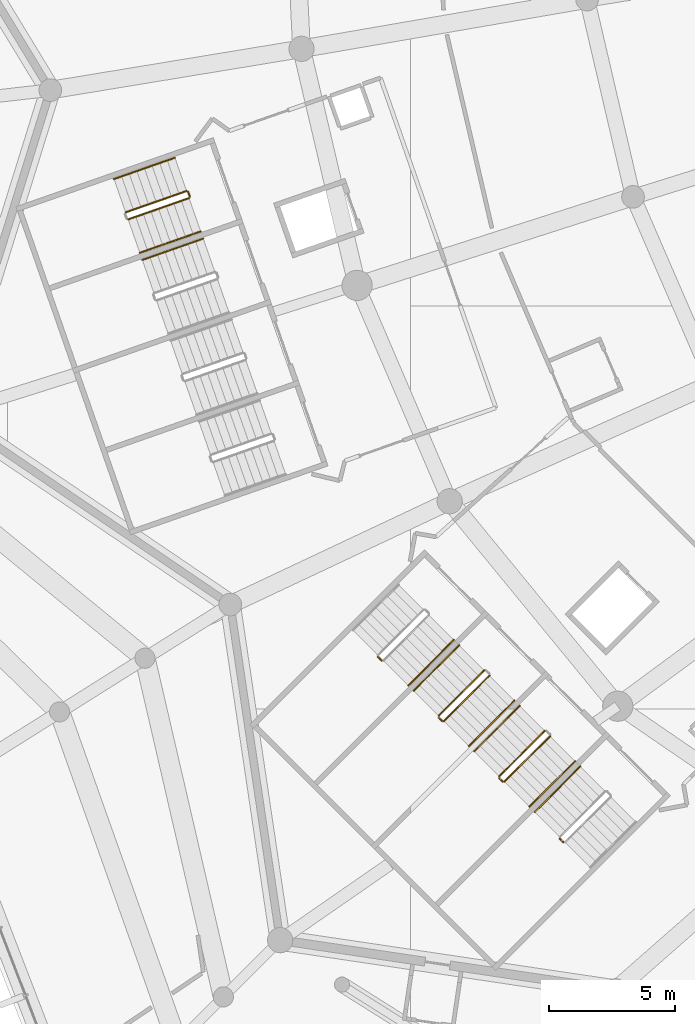
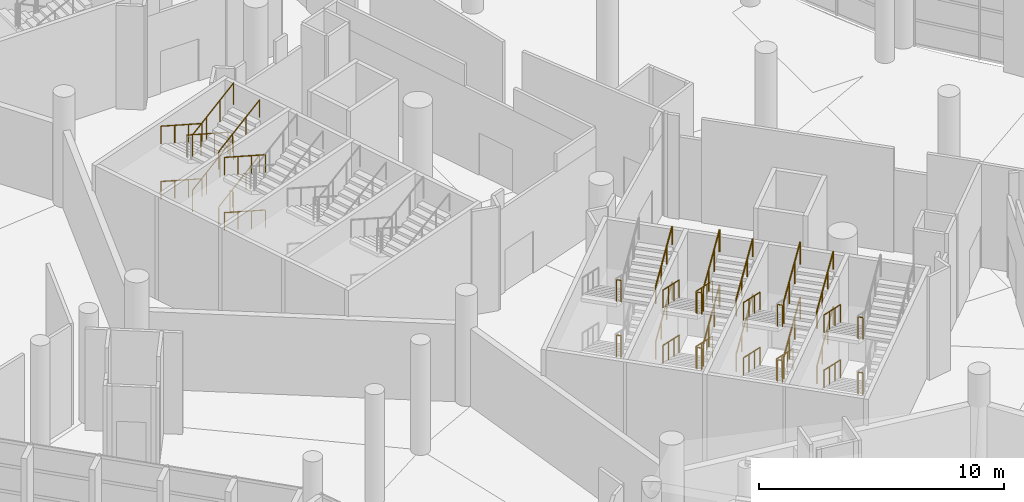
# One storey, part 225 of 271: 38 railings.
"""IFC4 building model written with IfcOpenShell, lengths in metres."""

from ifc_helpers import new_model, si_unit, direction, frame, origin, origin_2d, place, context, subcontext, project, spatial, circle, extrude, material, type_object, element, save


model = new_model("IFC4")

# Units and contexts
model_context = context("Model", 3, precision=1e-05, world=origin(), true_north=direction((0.0, 1.0)))
body_context = subcontext(model_context, "Body", "Model", "MODEL_VIEW")
ifc_project = project(units=[si_unit("LENGTHUNIT", "METRE"), si_unit("AREAUNIT", "SQUARE_METRE"), si_unit("VOLUMEUNIT", "CUBIC_METRE"), si_unit("PLANEANGLEUNIT", "RADIAN"), si_unit("MASSUNIT", "GRAM", prefix="KILO")], contexts=[model_context])

# Site, building, storey
site_placement = place(None, origin())
site = spatial("IfcSite", under=ifc_project, at=site_placement, CompositionType="ELEMENT")
building_placement = place(site_placement, origin())
building = spatial("IfcBuilding", under=site, at=building_placement, Name="Meseta Stadium", CompositionType="ELEMENT")
storey_placement = place(building_placement, frame((0.0, 0.0, 6.5)))
storey = spatial("IfcBuildingStorey", under=building, at=storey_placement, Name="L01", CompositionType="ELEMENT", Elevation=6.5)

# Railings
ifc_material_1 = material(Name="Steel S355", Category="steel")
railing_type_1 = type_object("IfcRailingType", Name="Stair guard 1100", PredefinedType="GUARDRAIL", material=ifc_material_1)
railing_1_placement = place(storey_placement, frame((-91.20458984375, -60.573486328125, 1.52783203125)))
element("IfcRailing", 1, at=railing_1_placement, inside=storey, type_object=railing_type_1, Name="ST77 L01 guard 3", PredefinedType="GUARDRAIL", context=body_context, shape_type="SweptSolid", body=[
    extrude(circle(Radius=0.02392578125, at=origin_2d()), frame((0.0, 0.0, 1.076171875), z_axis=(0.851812247406, 0.298022409857, 0.430811488231), x_axis=(-0.330239980492, 0.943897004595, 0.0)), (0.0, 0.0, 1.0), 2.8369140625),
    extrude(circle(Radius=0.02099609375, at=origin_2d()), origin(), (0.0, 0.0, 1.0), 1.052001953125),
    extrude(circle(Radius=0.02099609375, at=origin_2d()), frame((0.805419921875, 0.28173828125, 0.407470703125)), (0.0, 0.0, 1.0), 1.052001953125),
    extrude(circle(Radius=0.02099609375, at=origin_2d()), frame((1.611083984375, 0.563720703125, 0.814697265625)), (0.0, 0.0, 1.0), 1.052001953125),
    extrude(circle(Radius=0.02099609375, at=origin_2d()), frame((2.41650390625, 0.845458984375, 1.22216796875)), (0.0, 0.0, 1.0), 1.052001953125),
])
railing_2_placement = place(storey_placement, frame((-88.823486328125, -59.475341796875, 2.75)))
element("IfcRailing", 2, at=railing_2_placement, inside=storey, type_object=railing_type_1, Name="ST77 L01 guard 4", PredefinedType="GUARDRAIL", context=body_context, shape_type="SweptSolid", body=[
    extrude(circle(Radius=0.02392578125, at=origin_2d()), frame((0.0, 0.0, 1.076171875), z_axis=(0.329372156318, -0.944200181446, 0.0), x_axis=(0.944200181446, 0.329372156318, 0.0)), (0.0, 0.0, 1.0), 0.2001953125),
    extrude(circle(Radius=0.02099609375, at=origin_2d()), origin(), (0.0, 0.0, 1.0), 1.052001953125),
    extrude(circle(Radius=0.02099609375, at=origin_2d()), frame((0.06591796875, -0.18896484375, 0.0)), (0.0, 0.0, 1.0), 1.052001953125),
])
railing_3_placement = place(storey_placement, frame((-88.88720703125, -59.44482421875, 2.90283203125)))
element("IfcRailing", 3, at=railing_3_placement, inside=storey, type_object=railing_type_1, Name="ST77 L01 guard 5", PredefinedType="GUARDRAIL", context=body_context, shape_type="SweptSolid", body=[
    extrude(circle(Radius=0.02392578125, at=origin_2d()), frame((0.0, 0.0, 1.076171875), z_axis=(-0.851812247406, -0.298022409857, 0.430811488231), x_axis=(0.330239980492, -0.943897004595, 0.0)), (0.0, 0.0, 1.0), 2.8369140625),
    extrude(circle(Radius=0.02099609375, at=origin_2d()), origin(), (0.0, 0.0, 1.0), 1.052001953125),
    extrude(circle(Radius=0.02099609375, at=origin_2d()), frame((-0.805419921875, -0.28173828125, 0.407470703125)), (0.0, 0.0, 1.0), 1.052001953125),
    extrude(circle(Radius=0.02099609375, at=origin_2d()), frame((-1.611083984375, -0.563720703125, 0.814697265625)), (0.0, 0.0, 1.0), 1.052001953125),
    extrude(circle(Radius=0.02099609375, at=origin_2d()), frame((-2.41650390625, -0.845458984375, 1.22216796875)), (0.0, 0.0, 1.0), 1.052001953125),
])
railing_4_placement = place(storey_placement, frame((-91.20458984375, -60.573486328125, 4.27783203125)))
element("IfcRailing", 4, at=railing_4_placement, inside=storey, type_object=railing_type_1, Name="ST77 L01 guard 7", PredefinedType="GUARDRAIL", context=body_context, shape_type="SweptSolid", body=[
    extrude(circle(Radius=0.02392578125, at=origin_2d()), frame((0.0, 0.0, 1.076171875), z_axis=(0.851812247406, 0.298022409857, 0.430811488231), x_axis=(-0.330239980492, 0.943897004595, 0.0)), (0.0, 0.0, 1.0), 2.8369140625),
    extrude(circle(Radius=0.02099609375, at=origin_2d()), origin(), (0.0, 0.0, 1.0), 1.052001953125),
    extrude(circle(Radius=0.02099609375, at=origin_2d()), frame((0.805419921875, 0.28173828125, 0.407470703125)), (0.0, 0.0, 1.0), 1.052001953125),
    extrude(circle(Radius=0.02099609375, at=origin_2d()), frame((1.611083984375, 0.563720703125, 0.814697265625)), (0.0, 0.0, 1.0), 1.052001953125),
    extrude(circle(Radius=0.02099609375, at=origin_2d()), frame((2.41650390625, 0.845458984375, 1.22216796875)), (0.0, 0.0, 1.0), 1.052001953125),
])
railing_5_placement = place(storey_placement, frame((-88.823486328125, -59.475341796875, 0.0)))
element("IfcRailing", 5, at=railing_5_placement, inside=storey, type_object=railing_type_1, Name="ST77 L01 guard 8", PredefinedType="GUARDRAIL", context=body_context, shape_type="SweptSolid", body=[
    extrude(circle(Radius=0.02392578125, at=origin_2d()), frame((0.0, 0.0, 1.076171875), z_axis=(0.329372156318, -0.944200181446, 0.0), x_axis=(0.944200181446, 0.329372156318, 0.0)), (0.0, 0.0, 1.0), 0.2001953125),
    extrude(circle(Radius=0.02099609375, at=origin_2d()), origin(), (0.0, 0.0, 1.0), 1.052001953125),
    extrude(circle(Radius=0.02099609375, at=origin_2d()), frame((0.06591796875, -0.18896484375, 0.0)), (0.0, 0.0, 1.0), 1.052001953125),
])
for number, where, name in (
    (6, (-81.291748046875, -77.937744140625, 1.375), "ST81 L01 guard 2"),
    (7, (-81.291748046875, -77.937744140625, 4.125), "ST81 L01 guard 6"),
):
    element("IfcRailing", number, at=place(storey_placement, frame(where)), inside=storey, type_object=railing_type_1, Name=name, PredefinedType="GUARDRAIL", context=body_context, shape_type="SweptSolid", body=[
        extrude(circle(Radius=0.02392578125, at=origin_2d()), frame((0.0, 0.0, 1.076171875), z_axis=(0.707106781187, -0.707106781187, 0.0), x_axis=(0.707106781187, 0.707106781187, 0.0)), (0.0, 0.0, 1.0), 0.199951171875),
        extrude(circle(Radius=0.02099609375, at=origin_2d()), origin(), (0.0, 0.0, 1.0), 1.052001953125),
        extrude(circle(Radius=0.02099609375, at=origin_2d()), frame((0.141357421875, -0.141357421875, 0.0)), (0.0, 0.0, 1.0), 1.052001953125),
    ])
railing_6_placement = place(storey_placement, frame((-77.077392578125, -78.4609375, 0.15283203125)))
element("IfcRailing", 8, at=railing_6_placement, inside=storey, type_object=railing_type_1, Name="ST82 L01 guard 1", PredefinedType="GUARDRAIL", context=body_context, shape_type="SweptSolid", body=[
    extrude(circle(Radius=0.02392578125, at=origin_2d()), frame((0.0, 0.0, 1.076171875), z_axis=(-0.638072701536, -0.638158764755, 0.430832471526), x_axis=(0.707154463629, -0.707059095529, 0.0)), (0.0, 0.0, 1.0), 2.836669921875),
    extrude(circle(Radius=0.02099609375, at=origin_2d()), origin(), (0.0, 0.0, 1.0), 1.052001953125),
    extrude(circle(Radius=0.02099609375, at=origin_2d()), frame((-0.603271484375, -0.603515625, 0.407470703125)), (0.0, 0.0, 1.0), 1.052001953125),
    extrude(circle(Radius=0.02099609375, at=origin_2d()), frame((-1.206787109375, -1.206787109375, 0.814697265625)), (0.0, 0.0, 1.0), 1.052001953125),
    extrude(circle(Radius=0.02099609375, at=origin_2d()), frame((-1.81005859375, -1.810302734375, 1.22216796875)), (0.0, 0.0, 1.0), 1.052001953125),
])
railing_7_placement = place(storey_placement, frame((-78.887451171875, -80.342041015625, 1.375)))
element("IfcRailing", 9, at=railing_7_placement, inside=storey, type_object=railing_type_1, Name="ST82 L01 guard 2", PredefinedType="GUARDRAIL", context=body_context, shape_type="SweptSolid", body=[
    extrude(circle(Radius=0.02392578125, at=origin_2d()), frame((0.0, 0.0, 1.076171875), z_axis=(0.707106781187, -0.707106781187, 0.0), x_axis=(0.707106781187, 0.707106781187, 0.0)), (0.0, 0.0, 1.0), 0.199951171875),
    extrude(circle(Radius=0.02099609375, at=origin_2d()), origin(), (0.0, 0.0, 1.0), 1.052001953125),
    extrude(circle(Radius=0.02099609375, at=origin_2d()), frame((0.141357421875, -0.141357421875, 0.0)), (0.0, 0.0, 1.0), 1.052001953125),
])
railing_8_placement = place(storey_placement, frame((-78.67529296875, -80.4833984375, 1.52783203125)))
element("IfcRailing", 10, at=railing_8_placement, inside=storey, type_object=railing_type_1, Name="ST82 L01 guard 3", PredefinedType="GUARDRAIL", context=body_context, shape_type="SweptSolid", body=[
    extrude(circle(Radius=0.02392578125, at=origin_2d()), frame((0.0, 0.0, 1.076171875), z_axis=(0.638072701536, 0.638158764755, 0.430832471526), x_axis=(-0.707154463629, 0.707059095529, 0.0)), (0.0, 0.0, 1.0), 2.836669921875),
    extrude(circle(Radius=0.02099609375, at=origin_2d()), origin(), (0.0, 0.0, 1.0), 1.052001953125),
    extrude(circle(Radius=0.02099609375, at=origin_2d()), frame((0.603271484375, 0.603515625, 0.407470703125)), (0.0, 0.0, 1.0), 1.052001953125),
    extrude(circle(Radius=0.02099609375, at=origin_2d()), frame((1.206787109375, 1.206787109375, 0.814697265625)), (0.0, 0.0, 1.0), 1.052001953125),
    extrude(circle(Radius=0.02099609375, at=origin_2d()), frame((1.81005859375, 1.810302734375, 1.22216796875)), (0.0, 0.0, 1.0), 1.052001953125),
])
railing_9_placement = place(storey_placement, frame((-77.077392578125, -78.4609375, 2.90283203125)))
element("IfcRailing", 11, at=railing_9_placement, inside=storey, type_object=railing_type_1, Name="ST82 L01 guard 5", PredefinedType="GUARDRAIL", context=body_context, shape_type="SweptSolid", body=[
    extrude(circle(Radius=0.02392578125, at=origin_2d()), frame((0.0, 0.0, 1.076171875), z_axis=(-0.638072701536, -0.638158764755, 0.430832471526), x_axis=(0.707154463629, -0.707059095529, 0.0)), (0.0, 0.0, 1.0), 2.836669921875),
    extrude(circle(Radius=0.02099609375, at=origin_2d()), origin(), (0.0, 0.0, 1.0), 1.052001953125),
    extrude(circle(Radius=0.02099609375, at=origin_2d()), frame((-0.603271484375, -0.603515625, 0.407470703125)), (0.0, 0.0, 1.0), 1.052001953125),
    extrude(circle(Radius=0.02099609375, at=origin_2d()), frame((-1.206787109375, -1.206787109375, 0.814697265625)), (0.0, 0.0, 1.0), 1.052001953125),
    extrude(circle(Radius=0.02099609375, at=origin_2d()), frame((-1.81005859375, -1.810302734375, 1.22216796875)), (0.0, 0.0, 1.0), 1.052001953125),
])
railing_10_placement = place(storey_placement, frame((-78.887451171875, -80.342041015625, 4.125)))
element("IfcRailing", 12, at=railing_10_placement, inside=storey, type_object=railing_type_1, Name="ST82 L01 guard 6", PredefinedType="GUARDRAIL", context=body_context, shape_type="SweptSolid", body=[
    extrude(circle(Radius=0.02392578125, at=origin_2d()), frame((0.0, 0.0, 1.076171875), z_axis=(0.707106781187, -0.707106781187, 0.0), x_axis=(0.707106781187, 0.707106781187, 0.0)), (0.0, 0.0, 1.0), 0.199951171875),
    extrude(circle(Radius=0.02099609375, at=origin_2d()), origin(), (0.0, 0.0, 1.0), 1.052001953125),
    extrude(circle(Radius=0.02099609375, at=origin_2d()), frame((0.141357421875, -0.141357421875, 0.0)), (0.0, 0.0, 1.0), 1.052001953125),
])
railing_11_placement = place(storey_placement, frame((-78.67529296875, -80.4833984375, 4.27783203125)))
element("IfcRailing", 13, at=railing_11_placement, inside=storey, type_object=railing_type_1, Name="ST82 L01 guard 7", PredefinedType="GUARDRAIL", context=body_context, shape_type="SweptSolid", body=[
    extrude(circle(Radius=0.02392578125, at=origin_2d()), frame((0.0, 0.0, 1.076171875), z_axis=(0.638072701536, 0.638158764755, 0.430832471526), x_axis=(-0.707154463629, 0.707059095529, 0.0)), (0.0, 0.0, 1.0), 2.836669921875),
    extrude(circle(Radius=0.02099609375, at=origin_2d()), origin(), (0.0, 0.0, 1.0), 1.052001953125),
    extrude(circle(Radius=0.02099609375, at=origin_2d()), frame((0.603271484375, 0.603515625, 0.407470703125)), (0.0, 0.0, 1.0), 1.052001953125),
    extrude(circle(Radius=0.02099609375, at=origin_2d()), frame((1.206787109375, 1.206787109375, 0.814697265625)), (0.0, 0.0, 1.0), 1.052001953125),
    extrude(circle(Radius=0.02099609375, at=origin_2d()), frame((1.81005859375, 1.810302734375, 1.22216796875)), (0.0, 0.0, 1.0), 1.052001953125),
])
railing_12_placement = place(storey_placement, frame((-74.673095703125, -80.865234375, 0.15283203125)))
element("IfcRailing", 14, at=railing_12_placement, inside=storey, type_object=railing_type_1, Name="ST83 L01 guard 1", PredefinedType="GUARDRAIL", context=body_context, shape_type="SweptSolid", body=[
    extrude(circle(Radius=0.02392578125, at=origin_2d()), frame((0.0, 0.0, 1.076171875), z_axis=(-0.638158764755, -0.638072701536, 0.430832471526), x_axis=(0.707059095529, -0.707154463629, 0.0)), (0.0, 0.0, 1.0), 2.836669921875),
    extrude(circle(Radius=0.02099609375, at=origin_2d()), origin(), (0.0, 0.0, 1.0), 1.052001953125),
    extrude(circle(Radius=0.02099609375, at=origin_2d()), frame((-0.603515625, -0.603271484375, 0.407470703125)), (0.0, 0.0, 1.0), 1.052001953125),
    extrude(circle(Radius=0.02099609375, at=origin_2d()), frame((-1.206787109375, -1.206787109375, 0.814697265625)), (0.0, 0.0, 1.0), 1.052001953125),
    extrude(circle(Radius=0.02099609375, at=origin_2d()), frame((-1.810302734375, -1.81005859375, 1.22216796875)), (0.0, 0.0, 1.0), 1.052001953125),
])
railing_13_placement = place(storey_placement, frame((-76.4833984375, -82.74609375, 1.375)))
element("IfcRailing", 15, at=railing_13_placement, inside=storey, type_object=railing_type_1, Name="ST83 L01 guard 2", PredefinedType="GUARDRAIL", context=body_context, shape_type="SweptSolid", body=[
    extrude(circle(Radius=0.02392578125, at=origin_2d()), frame((0.0, 0.0, 1.076171875), z_axis=(0.707106781187, -0.707106781187, 0.0), x_axis=(0.707106781187, 0.707106781187, 0.0)), (0.0, 0.0, 1.0), 0.199951171875),
    extrude(circle(Radius=0.02099609375, at=origin_2d()), origin(), (0.0, 0.0, 1.0), 1.052001953125),
    extrude(circle(Radius=0.02099609375, at=origin_2d()), frame((0.141357421875, -0.141357421875, 0.0)), (0.0, 0.0, 1.0), 1.052001953125),
])
railing_14_placement = place(storey_placement, frame((-76.271240234375, -82.887451171875, 1.52783203125)))
element("IfcRailing", 16, at=railing_14_placement, inside=storey, type_object=railing_type_1, Name="ST83 L01 guard 3", PredefinedType="GUARDRAIL", context=body_context, shape_type="SweptSolid", body=[
    extrude(circle(Radius=0.02392578125, at=origin_2d()), frame((0.0, 0.0, 1.076171875), z_axis=(0.638158764755, 0.638072701536, 0.430832471526), x_axis=(-0.707059095529, 0.707154463629, 0.0)), (0.0, 0.0, 1.0), 2.836669921875),
    extrude(circle(Radius=0.02099609375, at=origin_2d()), origin(), (0.0, 0.0, 1.0), 1.052001953125),
    extrude(circle(Radius=0.02099609375, at=origin_2d()), frame((0.603515625, 0.603271484375, 0.407470703125)), (0.0, 0.0, 1.0), 1.052001953125),
    extrude(circle(Radius=0.02099609375, at=origin_2d()), frame((1.206787109375, 1.206787109375, 0.814697265625)), (0.0, 0.0, 1.0), 1.052001953125),
    extrude(circle(Radius=0.02099609375, at=origin_2d()), frame((1.810302734375, 1.81005859375, 1.22216796875)), (0.0, 0.0, 1.0), 1.052001953125),
])
railing_15_placement = place(storey_placement, frame((-76.4833984375, -82.74609375, 4.125)))
element("IfcRailing", 17, at=railing_15_placement, inside=storey, type_object=railing_type_1, Name="ST83 L01 guard 6", PredefinedType="GUARDRAIL", context=body_context, shape_type="SweptSolid", body=[
    extrude(circle(Radius=0.02392578125, at=origin_2d()), frame((0.0, 0.0, 1.076171875), z_axis=(0.707106781187, -0.707106781187, 0.0), x_axis=(0.707106781187, 0.707106781187, 0.0)), (0.0, 0.0, 1.0), 0.199951171875),
    extrude(circle(Radius=0.02099609375, at=origin_2d()), origin(), (0.0, 0.0, 1.0), 1.052001953125),
    extrude(circle(Radius=0.02099609375, at=origin_2d()), frame((0.141357421875, -0.141357421875, 0.0)), (0.0, 0.0, 1.0), 1.052001953125),
])
railing_16_placement = place(storey_placement, frame((-76.271240234375, -82.887451171875, 4.27783203125)))
element("IfcRailing", 18, at=railing_16_placement, inside=storey, type_object=railing_type_1, Name="ST83 L01 guard 7", PredefinedType="GUARDRAIL", context=body_context, shape_type="SweptSolid", body=[
    extrude(circle(Radius=0.02392578125, at=origin_2d()), frame((0.0, 0.0, 1.076171875), z_axis=(0.638158764755, 0.638072701536, 0.430832471526), x_axis=(-0.707059095529, 0.707154463629, 0.0)), (0.0, 0.0, 1.0), 2.836669921875),
    extrude(circle(Radius=0.02099609375, at=origin_2d()), origin(), (0.0, 0.0, 1.0), 1.052001953125),
    extrude(circle(Radius=0.02099609375, at=origin_2d()), frame((0.603515625, 0.603271484375, 0.407470703125)), (0.0, 0.0, 1.0), 1.052001953125),
    extrude(circle(Radius=0.02099609375, at=origin_2d()), frame((1.206787109375, 1.206787109375, 0.814697265625)), (0.0, 0.0, 1.0), 1.052001953125),
    extrude(circle(Radius=0.02099609375, at=origin_2d()), frame((1.810302734375, 1.81005859375, 1.22216796875)), (0.0, 0.0, 1.0), 1.052001953125),
])
for number, where, name in (
    (19, (-74.0791015625, -85.150390625, 1.375), "ST84 L01 guard 2"),
    (20, (-74.0791015625, -85.150390625, 4.125), "ST84 L01 guard 6"),
):
    element("IfcRailing", number, at=place(storey_placement, frame(where)), inside=storey, type_object=railing_type_1, Name=name, PredefinedType="GUARDRAIL", context=body_context, shape_type="SweptSolid", body=[
        extrude(circle(Radius=0.02392578125, at=origin_2d()), frame((0.0, 0.0, 1.076171875), z_axis=(0.707106781187, -0.707106781187, 0.0), x_axis=(0.707106781187, 0.707106781187, 0.0)), (0.0, 0.0, 1.0), 0.199951171875),
        extrude(circle(Radius=0.02099609375, at=origin_2d()), origin(), (0.0, 0.0, 1.0), 1.052001953125),
        extrude(circle(Radius=0.02099609375, at=origin_2d()), frame((0.141357421875, -0.141357421875, 0.0)), (0.0, 0.0, 1.0), 1.052001953125),
    ])
ifc_material_2 = material(Name="Steel S355", Category="steel")
railing_type_2 = type_object("IfcRailingType", Name="Stair handrail 900", PredefinedType="HANDRAIL", material=ifc_material_2)
railing_17_placement = place(storey_placement, frame((-89.349609375, -58.123291015625, 0.15283203125)))
element("IfcRailing", 21, at=railing_17_placement, inside=storey, type_object=railing_type_2, Name="ST77 L01 handrail 1", PredefinedType="HANDRAIL", context=body_context, shape_type="SweptSolid", body=[
    extrude(circle(Radius=0.02392578125, at=origin_2d()), frame((0.0, 0.0, 0.8759765625), z_axis=(-0.851812247406, -0.298022409857, 0.430811488231), x_axis=(0.330239980492, -0.943897004595, 0.0)), (0.0, 0.0, 1.0), 2.8369140625),
    extrude(circle(Radius=0.02099609375, at=origin_2d()), origin(), (0.0, 0.0, 1.0), 0.851806640625),
    extrude(circle(Radius=0.02099609375, at=origin_2d()), frame((-0.805419921875, -0.28173828125, 0.407470703125)), (0.0, 0.0, 1.0), 0.851806640625),
    extrude(circle(Radius=0.02099609375, at=origin_2d()), frame((-1.611083984375, -0.563720703125, 0.814697265625)), (0.0, 0.0, 1.0), 0.851806640625),
    extrude(circle(Radius=0.02099609375, at=origin_2d()), frame((-2.41650390625, -0.845458984375, 1.22216796875)), (0.0, 0.0, 1.0), 0.851806640625),
])
railing_18_placement = place(storey_placement, frame((-90.7421875, -61.894775390625, 1.52783203125)))
element("IfcRailing", 22, at=railing_18_placement, inside=storey, type_object=railing_type_2, Name="ST77 L01 handrail 2", PredefinedType="HANDRAIL", context=body_context, shape_type="SweptSolid", body=[
    extrude(circle(Radius=0.02392578125, at=origin_2d()), frame((0.0, 0.0, 0.8759765625), z_axis=(0.851812247406, 0.298022409857, 0.430811488231), x_axis=(-0.330239980492, 0.943897004595, 0.0)), (0.0, 0.0, 1.0), 2.8369140625),
    extrude(circle(Radius=0.02099609375, at=origin_2d()), origin(), (0.0, 0.0, 1.0), 0.851806640625),
    extrude(circle(Radius=0.02099609375, at=origin_2d()), frame((0.805419921875, 0.28173828125, 0.407470703125)), (0.0, 0.0, 1.0), 0.851806640625),
    extrude(circle(Radius=0.02099609375, at=origin_2d()), frame((1.611083984375, 0.563720703125, 0.814697265625)), (0.0, 0.0, 1.0), 0.851806640625),
    extrude(circle(Radius=0.02099609375, at=origin_2d()), frame((2.41650390625, 0.845458984375, 1.22216796875)), (0.0, 0.0, 1.0), 0.851806640625),
])
railing_19_placement = place(storey_placement, frame((-89.349609375, -58.123291015625, 2.90283203125)))
element("IfcRailing", 23, at=railing_19_placement, inside=storey, type_object=railing_type_2, Name="ST77 L01 handrail 3", PredefinedType="HANDRAIL", context=body_context, shape_type="SweptSolid", body=[
    extrude(circle(Radius=0.02392578125, at=origin_2d()), frame((0.0, 0.0, 0.8759765625), z_axis=(-0.851812247406, -0.298022409857, 0.430811488231), x_axis=(0.330239980492, -0.943897004595, 0.0)), (0.0, 0.0, 1.0), 2.8369140625),
    extrude(circle(Radius=0.02099609375, at=origin_2d()), origin(), (0.0, 0.0, 1.0), 0.851806640625),
    extrude(circle(Radius=0.02099609375, at=origin_2d()), frame((-0.805419921875, -0.28173828125, 0.407470703125)), (0.0, 0.0, 1.0), 0.851806640625),
    extrude(circle(Radius=0.02099609375, at=origin_2d()), frame((-1.611083984375, -0.563720703125, 0.814697265625)), (0.0, 0.0, 1.0), 0.851806640625),
    extrude(circle(Radius=0.02099609375, at=origin_2d()), frame((-2.41650390625, -0.845458984375, 1.22216796875)), (0.0, 0.0, 1.0), 0.851806640625),
])
railing_20_placement = place(storey_placement, frame((-90.7421875, -61.894775390625, 4.27783203125)))
element("IfcRailing", 24, at=railing_20_placement, inside=storey, type_object=railing_type_2, Name="ST77 L01 handrail 4", PredefinedType="HANDRAIL", context=body_context, shape_type="SweptSolid", body=[
    extrude(circle(Radius=0.02392578125, at=origin_2d()), frame((0.0, 0.0, 0.8759765625), z_axis=(0.851812247406, 0.298022409857, 0.430811488231), x_axis=(-0.330239980492, 0.943897004595, 0.0)), (0.0, 0.0, 1.0), 2.8369140625),
    extrude(circle(Radius=0.02099609375, at=origin_2d()), origin(), (0.0, 0.0, 1.0), 0.851806640625),
    extrude(circle(Radius=0.02099609375, at=origin_2d()), frame((0.805419921875, 0.28173828125, 0.407470703125)), (0.0, 0.0, 1.0), 0.851806640625),
    extrude(circle(Radius=0.02099609375, at=origin_2d()), frame((1.611083984375, 0.563720703125, 0.814697265625)), (0.0, 0.0, 1.0), 0.851806640625),
    extrude(circle(Radius=0.02099609375, at=origin_2d()), frame((2.41650390625, 0.845458984375, 1.22216796875)), (0.0, 0.0, 1.0), 0.851806640625),
])
for number, where, name in (
    (25, (-88.226806640625, -61.33251953125, 0.15283203125), "ST78 L01 handrail 1"),
    (26, (-88.226806640625, -61.33251953125, 2.90283203125), "ST78 L01 handrail 3"),
):
    element("IfcRailing", number, at=place(storey_placement, frame(where)), inside=storey, type_object=railing_type_2, Name=name, PredefinedType="HANDRAIL", context=body_context, shape_type="SweptSolid", body=[
        extrude(circle(Radius=0.02392578125, at=origin_2d()), frame((0.0, 0.0, 0.8759765625), z_axis=(-0.851788628844, -0.298044258026, 0.430843071233), x_axis=(0.330269708658, -0.943886603116, 0.0)), (0.0, 0.0, 1.0), 2.836669921875),
        extrude(circle(Radius=0.02099609375, at=origin_2d()), origin(), (0.0, 0.0, 1.0), 0.851806640625),
        extrude(circle(Radius=0.02099609375, at=origin_2d()), frame((-0.805419921875, -0.28173828125, 0.407470703125)), (0.0, 0.0, 1.0), 0.851806640625),
        extrude(circle(Radius=0.02099609375, at=origin_2d()), frame((-1.61083984375, -0.563720703125, 0.814697265625)), (0.0, 0.0, 1.0), 0.851806640625),
        extrude(circle(Radius=0.02099609375, at=origin_2d()), frame((-2.416259765625, -0.845458984375, 1.22216796875)), (0.0, 0.0, 1.0), 0.851806640625),
    ])
for number, where, name in (
    (27, (-80.089599609375, -79.069091796875, 1.52783203125), "ST81 L01 handrail 2"),
    (28, (-80.089599609375, -79.069091796875, 4.27783203125), "ST81 L01 handrail 4"),
):
    element("IfcRailing", number, at=place(storey_placement, frame(where)), inside=storey, type_object=railing_type_2, Name=name, PredefinedType="HANDRAIL", context=body_context, shape_type="SweptSolid", body=[
        extrude(circle(Radius=0.02392578125, at=origin_2d()), frame((0.0, 0.0, 0.8759765625), z_axis=(0.638107746287, 0.638107746287, 0.430856134059), x_axis=(-0.707106781187, 0.707106781187, 0.0)), (0.0, 0.0, 1.0), 2.836669921875),
        extrude(circle(Radius=0.02099609375, at=origin_2d()), origin(), (0.0, 0.0, 1.0), 0.851806640625),
        extrude(circle(Radius=0.02099609375, at=origin_2d()), frame((0.603271484375, 0.603271484375, 0.407470703125)), (0.0, 0.0, 1.0), 0.851806640625),
        extrude(circle(Radius=0.02099609375, at=origin_2d()), frame((1.206787109375, 1.206787109375, 0.814697265625)), (0.0, 0.0, 1.0), 0.851806640625),
        extrude(circle(Radius=0.02099609375, at=origin_2d()), frame((1.81005859375, 1.81005859375, 1.22216796875)), (0.0, 0.0, 1.0), 0.851806640625),
    ])
railing_21_placement = place(storey_placement, frame((-78.0673828125, -77.47119140625, 0.15283203125)))
element("IfcRailing", 29, at=railing_21_placement, inside=storey, type_object=railing_type_2, Name="ST82 L01 handrail 1", PredefinedType="HANDRAIL", context=body_context, shape_type="SweptSolid", body=[
    extrude(circle(Radius=0.02392578125, at=origin_2d()), frame((0.0, 0.0, 0.8759765625), z_axis=(-0.638107746287, -0.638107746287, 0.430856134059), x_axis=(0.707106781187, -0.707106781187, 0.0)), (0.0, 0.0, 1.0), 2.836669921875),
    extrude(circle(Radius=0.02099609375, at=origin_2d()), origin(), (0.0, 0.0, 1.0), 0.851806640625),
    extrude(circle(Radius=0.02099609375, at=origin_2d()), frame((-0.603271484375, -0.603271484375, 0.407470703125)), (0.0, 0.0, 1.0), 0.851806640625),
    extrude(circle(Radius=0.02099609375, at=origin_2d()), frame((-1.206787109375, -1.206787109375, 0.814697265625)), (0.0, 0.0, 1.0), 0.851806640625),
    extrude(circle(Radius=0.02099609375, at=origin_2d()), frame((-1.81005859375, -1.81005859375, 1.22216796875)), (0.0, 0.0, 1.0), 0.851806640625),
])
railing_22_placement = place(storey_placement, frame((-77.685546875, -81.473388671875, 1.52783203125)))
element("IfcRailing", 30, at=railing_22_placement, inside=storey, type_object=railing_type_2, Name="ST82 L01 handrail 2", PredefinedType="HANDRAIL", context=body_context, shape_type="SweptSolid", body=[
    extrude(circle(Radius=0.02392578125, at=origin_2d()), frame((0.0, 0.0, 0.8759765625), z_axis=(0.638123721051, 0.638123721051, 0.43080881289), x_axis=(-0.707106781187, 0.707106781187, 0.0)), (0.0, 0.0, 1.0), 2.8369140625),
    extrude(circle(Radius=0.02099609375, at=origin_2d()), origin(), (0.0, 0.0, 1.0), 0.851806640625),
    extrude(circle(Radius=0.02099609375, at=origin_2d()), frame((0.603515625, 0.603515625, 0.407470703125)), (0.0, 0.0, 1.0), 0.851806640625),
    extrude(circle(Radius=0.02099609375, at=origin_2d()), frame((1.206787109375, 1.206787109375, 0.814697265625)), (0.0, 0.0, 1.0), 0.851806640625),
    extrude(circle(Radius=0.02099609375, at=origin_2d()), frame((1.810302734375, 1.810302734375, 1.22216796875)), (0.0, 0.0, 1.0), 0.851806640625),
])
railing_23_placement = place(storey_placement, frame((-78.0673828125, -77.47119140625, 2.90283203125)))
element("IfcRailing", 31, at=railing_23_placement, inside=storey, type_object=railing_type_2, Name="ST82 L01 handrail 3", PredefinedType="HANDRAIL", context=body_context, shape_type="SweptSolid", body=[
    extrude(circle(Radius=0.02392578125, at=origin_2d()), frame((0.0, 0.0, 0.8759765625), z_axis=(-0.638107746287, -0.638107746287, 0.430856134059), x_axis=(0.707106781187, -0.707106781187, 0.0)), (0.0, 0.0, 1.0), 2.836669921875),
    extrude(circle(Radius=0.02099609375, at=origin_2d()), origin(), (0.0, 0.0, 1.0), 0.851806640625),
    extrude(circle(Radius=0.02099609375, at=origin_2d()), frame((-0.603271484375, -0.603271484375, 0.407470703125)), (0.0, 0.0, 1.0), 0.851806640625),
    extrude(circle(Radius=0.02099609375, at=origin_2d()), frame((-1.206787109375, -1.206787109375, 0.814697265625)), (0.0, 0.0, 1.0), 0.851806640625),
    extrude(circle(Radius=0.02099609375, at=origin_2d()), frame((-1.81005859375, -1.81005859375, 1.22216796875)), (0.0, 0.0, 1.0), 0.851806640625),
])
railing_24_placement = place(storey_placement, frame((-77.685546875, -81.473388671875, 4.27783203125)))
element("IfcRailing", 32, at=railing_24_placement, inside=storey, type_object=railing_type_2, Name="ST82 L01 handrail 4", PredefinedType="HANDRAIL", context=body_context, shape_type="SweptSolid", body=[
    extrude(circle(Radius=0.02392578125, at=origin_2d()), frame((0.0, 0.0, 0.8759765625), z_axis=(0.638123721051, 0.638123721051, 0.43080881289), x_axis=(-0.707106781187, 0.707106781187, 0.0)), (0.0, 0.0, 1.0), 2.8369140625),
    extrude(circle(Radius=0.02099609375, at=origin_2d()), origin(), (0.0, 0.0, 1.0), 0.851806640625),
    extrude(circle(Radius=0.02099609375, at=origin_2d()), frame((0.603515625, 0.603515625, 0.407470703125)), (0.0, 0.0, 1.0), 0.851806640625),
    extrude(circle(Radius=0.02099609375, at=origin_2d()), frame((1.206787109375, 1.206787109375, 0.814697265625)), (0.0, 0.0, 1.0), 0.851806640625),
    extrude(circle(Radius=0.02099609375, at=origin_2d()), frame((1.810302734375, 1.810302734375, 1.22216796875)), (0.0, 0.0, 1.0), 0.851806640625),
])
railing_25_placement = place(storey_placement, frame((-75.6630859375, -79.875244140625, 0.15283203125)))
element("IfcRailing", 33, at=railing_25_placement, inside=storey, type_object=railing_type_2, Name="ST83 L01 handrail 1", PredefinedType="HANDRAIL", context=body_context, shape_type="SweptSolid", body=[
    extrude(circle(Radius=0.02392578125, at=origin_2d()), frame((0.0, 0.0, 0.8759765625), z_axis=(-0.638123721051, -0.638123721051, 0.43080881289), x_axis=(0.707106781187, -0.707106781187, 0.0)), (0.0, 0.0, 1.0), 2.8369140625),
    extrude(circle(Radius=0.02099609375, at=origin_2d()), origin(), (0.0, 0.0, 1.0), 0.851806640625),
    extrude(circle(Radius=0.02099609375, at=origin_2d()), frame((-0.603515625, -0.603515625, 0.407470703125)), (0.0, 0.0, 1.0), 0.851806640625),
    extrude(circle(Radius=0.02099609375, at=origin_2d()), frame((-1.206787109375, -1.206787109375, 0.814697265625)), (0.0, 0.0, 1.0), 0.851806640625),
    extrude(circle(Radius=0.02099609375, at=origin_2d()), frame((-1.810302734375, -1.810302734375, 1.22216796875)), (0.0, 0.0, 1.0), 0.851806640625),
])
railing_26_placement = place(storey_placement, frame((-75.28125, -83.87744140625, 1.52783203125)))
element("IfcRailing", 34, at=railing_26_placement, inside=storey, type_object=railing_type_2, Name="ST83 L01 handrail 2", PredefinedType="HANDRAIL", context=body_context, shape_type="SweptSolid", body=[
    extrude(circle(Radius=0.02392578125, at=origin_2d()), frame((0.0, 0.0, 0.8759765625), z_axis=(0.638107746287, 0.638107746287, 0.430856134059), x_axis=(-0.707106781187, 0.707106781187, 0.0)), (0.0, 0.0, 1.0), 2.836669921875),
    extrude(circle(Radius=0.02099609375, at=origin_2d()), origin(), (0.0, 0.0, 1.0), 0.851806640625),
    extrude(circle(Radius=0.02099609375, at=origin_2d()), frame((0.603271484375, 0.603271484375, 0.407470703125)), (0.0, 0.0, 1.0), 0.851806640625),
    extrude(circle(Radius=0.02099609375, at=origin_2d()), frame((1.206787109375, 1.206787109375, 0.814697265625)), (0.0, 0.0, 1.0), 0.851806640625),
    extrude(circle(Radius=0.02099609375, at=origin_2d()), frame((1.81005859375, 1.81005859375, 1.22216796875)), (0.0, 0.0, 1.0), 0.851806640625),
])
railing_27_placement = place(storey_placement, frame((-75.6630859375, -79.875244140625, 2.90283203125)))
element("IfcRailing", 35, at=railing_27_placement, inside=storey, type_object=railing_type_2, Name="ST83 L01 handrail 3", PredefinedType="HANDRAIL", context=body_context, shape_type="SweptSolid", body=[
    extrude(circle(Radius=0.02392578125, at=origin_2d()), frame((0.0, 0.0, 0.8759765625), z_axis=(-0.638123721051, -0.638123721051, 0.43080881289), x_axis=(0.707106781187, -0.707106781187, 0.0)), (0.0, 0.0, 1.0), 2.8369140625),
    extrude(circle(Radius=0.02099609375, at=origin_2d()), origin(), (0.0, 0.0, 1.0), 0.851806640625),
    extrude(circle(Radius=0.02099609375, at=origin_2d()), frame((-0.603515625, -0.603515625, 0.407470703125)), (0.0, 0.0, 1.0), 0.851806640625),
    extrude(circle(Radius=0.02099609375, at=origin_2d()), frame((-1.206787109375, -1.206787109375, 0.814697265625)), (0.0, 0.0, 1.0), 0.851806640625),
    extrude(circle(Radius=0.02099609375, at=origin_2d()), frame((-1.810302734375, -1.810302734375, 1.22216796875)), (0.0, 0.0, 1.0), 0.851806640625),
])
railing_28_placement = place(storey_placement, frame((-75.28125, -83.87744140625, 4.27783203125)))
element("IfcRailing", 36, at=railing_28_placement, inside=storey, type_object=railing_type_2, Name="ST83 L01 handrail 4", PredefinedType="HANDRAIL", context=body_context, shape_type="SweptSolid", body=[
    extrude(circle(Radius=0.02392578125, at=origin_2d()), frame((0.0, 0.0, 0.8759765625), z_axis=(0.638107746287, 0.638107746287, 0.430856134059), x_axis=(-0.707106781187, 0.707106781187, 0.0)), (0.0, 0.0, 1.0), 2.836669921875),
    extrude(circle(Radius=0.02099609375, at=origin_2d()), origin(), (0.0, 0.0, 1.0), 0.851806640625),
    extrude(circle(Radius=0.02099609375, at=origin_2d()), frame((0.603271484375, 0.603271484375, 0.407470703125)), (0.0, 0.0, 1.0), 0.851806640625),
    extrude(circle(Radius=0.02099609375, at=origin_2d()), frame((1.206787109375, 1.206787109375, 0.814697265625)), (0.0, 0.0, 1.0), 0.851806640625),
    extrude(circle(Radius=0.02099609375, at=origin_2d()), frame((1.81005859375, 1.81005859375, 1.22216796875)), (0.0, 0.0, 1.0), 0.851806640625),
])
for number, where, name in (
    (37, (-73.259033203125, -82.279541015625, 0.15283203125), "ST84 L01 handrail 1"),
    (38, (-73.259033203125, -82.279541015625, 2.90283203125), "ST84 L01 handrail 3"),
):
    element("IfcRailing", number, at=place(storey_placement, frame(where)), inside=storey, type_object=railing_type_2, Name=name, PredefinedType="HANDRAIL", context=body_context, shape_type="SweptSolid", body=[
        extrude(circle(Radius=0.02392578125, at=origin_2d()), frame((0.0, 0.0, 0.8759765625), z_axis=(-0.638107746287, -0.638107746287, 0.430856134059), x_axis=(0.707106781187, -0.707106781187, 0.0)), (0.0, 0.0, 1.0), 2.836669921875),
        extrude(circle(Radius=0.02099609375, at=origin_2d()), origin(), (0.0, 0.0, 1.0), 0.851806640625),
        extrude(circle(Radius=0.02099609375, at=origin_2d()), frame((-0.603271484375, -0.603271484375, 0.407470703125)), (0.0, 0.0, 1.0), 0.851806640625),
        extrude(circle(Radius=0.02099609375, at=origin_2d()), frame((-1.206787109375, -1.206787109375, 0.814697265625)), (0.0, 0.0, 1.0), 0.851806640625),
        extrude(circle(Radius=0.02099609375, at=origin_2d()), frame((-1.81005859375, -1.81005859375, 1.22216796875)), (0.0, 0.0, 1.0), 0.851806640625),
    ])

save(model, "model.ifc")
